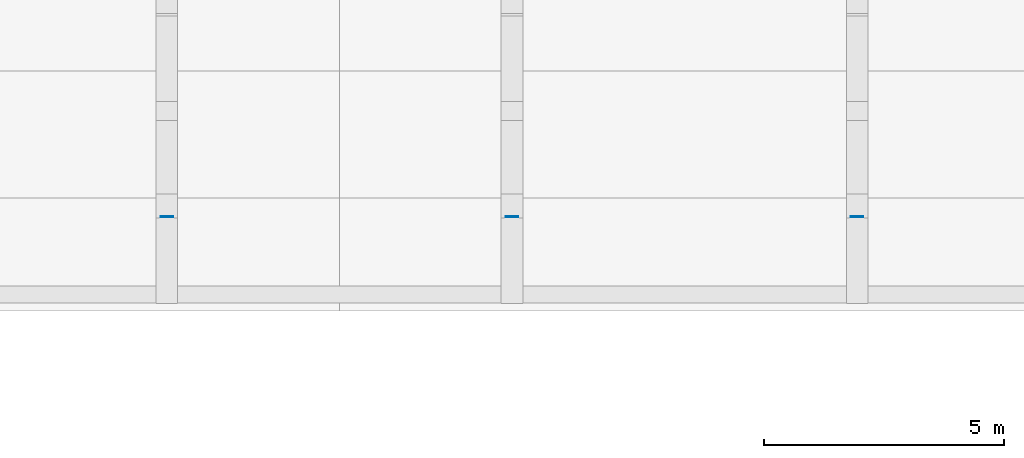
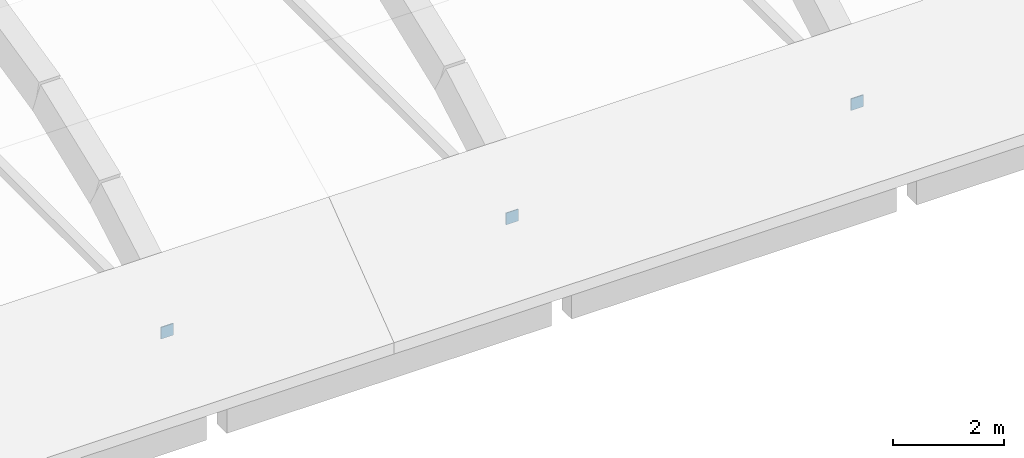
# One storey, part 54 of 73: 3 discrete accessories.
"""IFC4 building model written with IfcOpenShell, lengths in metres."""

from ifc_helpers import new_model, si_unit, derived_unit, direction, frame, origin, origin_2d, place, context, subcontext, project, spatial, rectangle, extrude, material, type_object, element, save


model = new_model("IFC4")

# Units and contexts
model_context = context("Model", 3, precision=1e-05, world=origin(), true_north=direction((0.0, 1.0)))
body_context = subcontext(model_context, "Body", "Model", "MODEL_VIEW")
ifc_project = project(units=[si_unit("LENGTHUNIT", "METRE"), si_unit("AREAUNIT", "SQUARE_METRE"), si_unit("VOLUMEUNIT", "CUBIC_METRE"), si_unit("PLANEANGLEUNIT", "RADIAN"), si_unit("MASSUNIT", "GRAM", prefix="KILO"), derived_unit("THERMALTRANSMITTANCEUNIT", [(si_unit("MASSUNIT", "GRAM", prefix="KILO"), 1), (si_unit("TIMEUNIT", "SECOND"), -3), (si_unit("THERMODYNAMICTEMPERATUREUNIT", "KELVIN"), -1)])], contexts=[model_context])

# Site, building, storey
site_placement = place(None, origin())
site = spatial("IfcSite", under=ifc_project, at=site_placement, CompositionType="ELEMENT")
building_placement = place(site_placement, origin())
building = spatial("IfcBuilding", under=site, at=building_placement, Name="Ochrekiln Boulevard Commons", CompositionType="ELEMENT")
storey_placement = place(building_placement, frame((0.0, 0.0, 8.574951171875)))
storey = spatial("IfcBuildingStorey", under=building, at=storey_placement, Name="L02", CompositionType="ELEMENT", Elevation=8.574951171875)

# Discrete accessories
ifc_material = material(Name="Steel A992 Grade 50", Category="steel")
discrete_accessory_type = type_object("IfcDiscreteAccessoryType", Name="ACC-GUS-PLATE", PredefinedType="BRACKET", material=ifc_material)
for number, where, z_axis, x_axis, name in (
    (1, (79.199951171875, 37.969970703125, 0.19482421875), (0.0, 0.0, 1.0), (1.0, 0.0, 0.0), "Vault Tie Rod 4S 20 mm Seal End-Cap Connection Plate"),
    (2, (86.39990234375, 37.969970703125, 0.19482421875), (0.0, 0.0, 1.0), (1.0, 0.0, 0.0), "Vault Tie Rod 5S 20 mm Seal End-Cap Connection Plate"),
    (3, (93.60009765625, 37.969970703125, 0.19482421875), (0.0, 0.0, 1.0), (1.0, 0.0, 0.0), "Vault Tie Rod 6S 20 mm Seal End-Cap Connection Plate"),
):
    element("IfcDiscreteAccessory", number, at=place(storey_placement, frame(where, z_axis=z_axis, x_axis=x_axis)), inside=storey, type_object=discrete_accessory_type, Name=name, PredefinedType="BRACKET", context=body_context, shape_type="SweptSolid", body=[
        extrude(rectangle(XDim=0.260009765625, YDim=0.02001953125, at=origin_2d()), origin(), (0.0, 0.0, 1.0), 0.260009765625),
    ])

save(model, "model.ifc")
